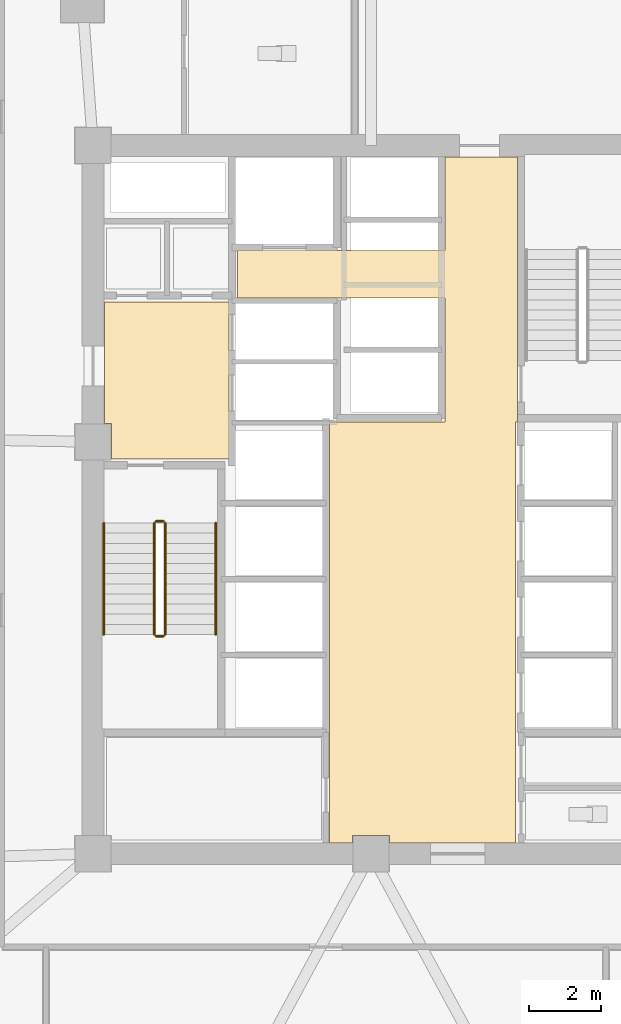
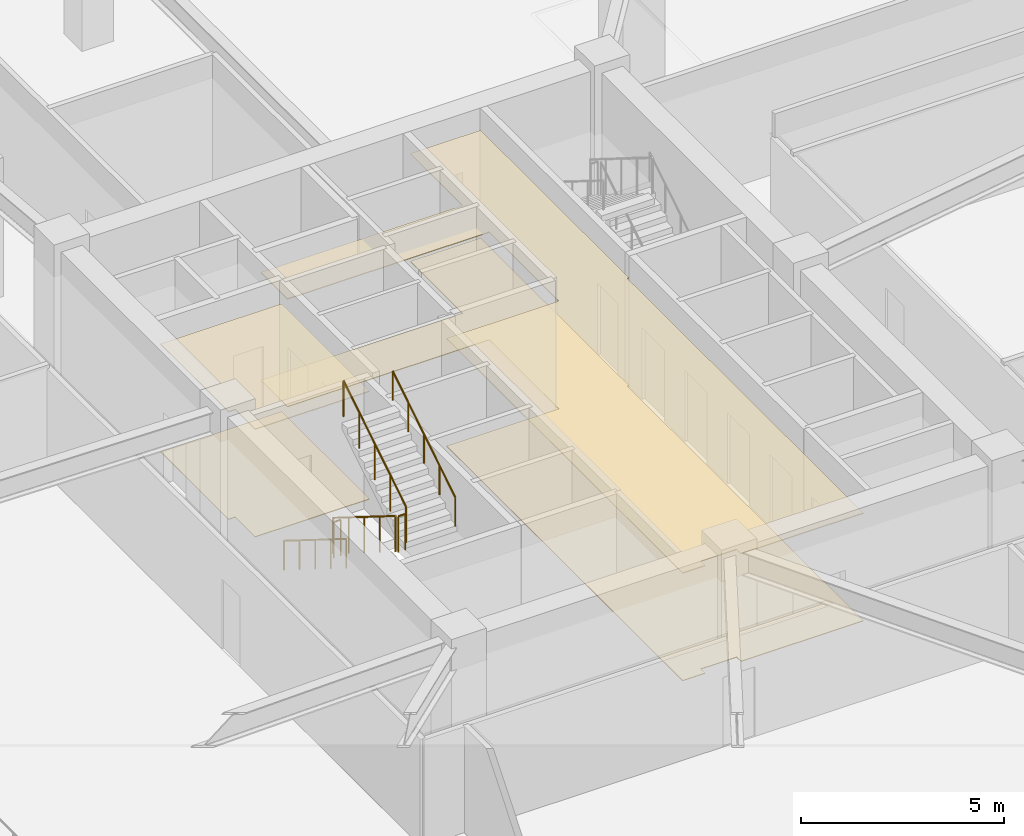
# One storey, part 16 of 22: 6 railings, 4 coverings.
"""IFC4 building model written with IfcOpenShell, lengths in metres."""

from ifc_helpers import new_model, si_unit, direction, frame, origin, origin_2d, place, context, subcontext, project, spatial, polyline, circle, outline, extrude, material, layer, layer_set, type_object, element, save


model = new_model("IFC4")

# Units and contexts
model_context = context("Model", 3, precision=1e-05, world=origin(), true_north=direction((0.0, 1.0)))
body_context = subcontext(model_context, "Body", "Model", "MODEL_VIEW")
ifc_project = project(units=[si_unit("LENGTHUNIT", "METRE"), si_unit("AREAUNIT", "SQUARE_METRE"), si_unit("VOLUMEUNIT", "CUBIC_METRE"), si_unit("PLANEANGLEUNIT", "RADIAN"), si_unit("MASSUNIT", "GRAM", prefix="KILO")], contexts=[model_context])

# Site, building, storey
site_placement = place(None, origin())
site = spatial("IfcSite", under=ifc_project, at=site_placement, CompositionType="ELEMENT")
building_placement = place(site_placement, origin())
building = spatial("IfcBuilding", under=site, at=building_placement, Name="Savorim Split Tower", CompositionType="ELEMENT")
storey_placement = place(building_placement, frame((0.0, 0.0, 13.39990234375)))
storey = spatial("IfcBuildingStorey", under=building, at=storey_placement, Name="L03", CompositionType="ELEMENT", Elevation=13.39990234375)

# Coverings
ifc_material_1 = material(Name="Mineral Fibre Acoustic Ceiling")
ifc_layer_1 = layer(ifc_material_1, 0.02490234375)
ifc_layer_set_1 = layer_set([ifc_layer_1], Name="COV-CEIL-25")
covering_type_1 = type_object("IfcCoveringType", Name="COV-CEIL-25", PredefinedType="CEILING", material=ifc_layer_set_1)
covering_1_placement = place(storey_placement, frame((0.0, 0.0, 3.239990234375)))
element("IfcCovering", 1, at=covering_1_placement, inside=storey, type_object=covering_type_1, Name="L03 Firefighting Lift Lobby Acoustic Ceiling", PredefinedType="CEILING", context=body_context, shape_type="SweptSolid", body=[
    extrude(outline(polyline([(-3.929931640625, 5.8701171875), (-7.3798828125, 5.8701171875), (-7.3798828125, 2.510009765625), (-7.18994140625, 2.510009765625), (-7.18994140625, 1.530029296875), (-3.929931640625, 1.530029296875), (-3.929931640625, 5.8701171875)])), origin(), (0.0, 0.0, 1.0), 0.025146484375),
])
covering_2_placement = place(storey_placement, frame((0.0, 0.0, 3.239990234375)))
element("IfcCovering", 2, at=covering_2_placement, inside=storey, type_object=covering_type_1, Name="L03 Lift Lobby Acoustic Ceiling", PredefinedType="CEILING", context=body_context, shape_type="SweptSolid", body=[
    extrude(outline(polyline([(2.050048828125, 2.550048828125), (-1.14990234375, 2.550048828125), (-1.14990234375, -9.10009765625), (-0.510009765625, -9.10009765625), (-0.510009765625, -8.889892578125), (0.510009765625, -8.889892578125), (0.510009765625, -9.10009765625), (4.0, -9.10009765625), (4.0, 2.550048828125), (4.050048828125, 2.550048828125), (4.050048828125, 5.97998046875), (4.050048828125, 7.300048828125), (4.050048828125, 9.8798828125), (2.050048828125, 9.8798828125), (2.050048828125, 7.300048828125), (-3.699951171875, 7.300048828125), (-3.699951171875, 5.97998046875), (2.050048828125, 5.97998046875), (2.050048828125, 2.550048828125)])), origin(), (0.0, 0.0, 1.0), 0.025146484375),
])
ifc_material_2 = material(Name="Porcelain Stoneware Flooring", Category="masonry")
ifc_layer_2 = layer(ifc_material_2, 0.02001953125)
ifc_layer_set_2 = layer_set([ifc_layer_2], Name="COV-FLOR-20")
covering_type_2 = type_object("IfcCoveringType", Name="COV-FLOR-20", PredefinedType="FLOORING", material=ifc_layer_set_2)
covering_3_placement = place(storey_placement, origin())
element("IfcCovering", 3, at=covering_3_placement, inside=storey, type_object=covering_type_2, Name="L03 Firefighting Lift Lobby Porcelain Flooring", PredefinedType="FLOORING", context=body_context, shape_type="SweptSolid", body=[
    extrude(outline(polyline([(-3.929931640625, 5.8701171875), (-7.3798828125, 5.8701171875), (-7.3798828125, 2.510009765625), (-7.18994140625, 2.510009765625), (-7.18994140625, 1.530029296875), (-3.929931640625, 1.530029296875), (-3.929931640625, 5.8701171875)])), origin(), (0.0, 0.0, 1.0), 0.02001953125),
])
covering_4_placement = place(storey_placement, origin())
element("IfcCovering", 4, at=covering_4_placement, inside=storey, type_object=covering_type_2, Name="L03 Lift Lobby Porcelain Flooring", PredefinedType="FLOORING", context=body_context, shape_type="SweptSolid", body=[
    extrude(outline(polyline([(2.050048828125, 2.550048828125), (-1.14990234375, 2.550048828125), (-1.14990234375, -9.10009765625), (-0.510009765625, -9.10009765625), (-0.510009765625, -8.889892578125), (0.510009765625, -8.889892578125), (0.510009765625, -9.10009765625), (4.0, -9.10009765625), (4.0, 2.550048828125), (4.050048828125, 2.550048828125), (4.050048828125, 5.97998046875), (4.050048828125, 7.300048828125), (4.050048828125, 9.8798828125), (2.050048828125, 9.8798828125), (2.050048828125, 7.300048828125), (-3.699951171875, 7.300048828125), (-3.699951171875, 5.97998046875), (2.050048828125, 5.97998046875), (2.050048828125, 2.550048828125)])), origin(), (0.0, 0.0, 1.0), 0.02001953125),
])

# Railings
ifc_material_3 = material(Name="Galvanised Painted Steel Balustrade", Category="steel")
railing_type_1 = type_object("IfcRailingType", Name="RLG-HR-900", PredefinedType="HANDRAIL", material=ifc_material_3)
railing_1_placement = place(storey_placement, frame((-7.39990234375, -0.25, 0.175048828125)))
element("IfcRailing", 5, at=railing_1_placement, inside=storey, type_object=railing_type_1, Name="L03 ST-1 stair handrail 1", PredefinedType="HANDRAIL", context=body_context, shape_type="SweptSolid", body=[
    extrude(circle(Radius=0.02392578125, at=origin_2d()), frame((0.0, 0.0, 0.8759765625), z_axis=(0.0, -0.847998304005, 0.529998940003), x_axis=(1.0, 0.0, 0.0)), (0.0, 0.0, 1.0), 3.632080078125),
    extrude(circle(Radius=0.02099609375, at=origin_2d()), origin(), (0.0, 0.0, 1.0), 0.851806640625),
    extrude(circle(Radius=0.02099609375, at=origin_2d()), frame((0.0, -0.77001953125, 0.481201171875)), (0.0, 0.0, 1.0), 0.851806640625),
    extrude(circle(Radius=0.02099609375, at=origin_2d()), frame((0.0, -1.5400390625, 0.96240234375)), (0.0, 0.0, 1.0), 0.851806640625),
    extrude(circle(Radius=0.02099609375, at=origin_2d()), frame((0.0, -2.31005859375, 1.44384765625)), (0.0, 0.0, 1.0), 0.851806640625),
    extrude(circle(Radius=0.02099609375, at=origin_2d()), frame((0.0, -3.080078125, 1.925048828125)), (0.0, 0.0, 1.0), 0.851806640625),
])
railing_2_placement = place(storey_placement, frame((-4.300048828125, -3.330078125, 2.275146484375)))
element("IfcRailing", 6, at=railing_2_placement, inside=storey, type_object=railing_type_1, Name="L03 ST-1 stair handrail 2", PredefinedType="HANDRAIL", context=body_context, shape_type="SweptSolid", body=[
    extrude(circle(Radius=0.02392578125, at=origin_2d()), frame((0.0, 0.0, 0.8759765625), z_axis=(0.0, 0.847998304005, 0.529998940003), x_axis=(-1.0, 0.0, 0.0)), (0.0, 0.0, 1.0), 3.632080078125),
    extrude(circle(Radius=0.02099609375, at=origin_2d()), origin(), (0.0, 0.0, 1.0), 0.851806640625),
    extrude(circle(Radius=0.02099609375, at=origin_2d()), frame((0.0, 0.77001953125, 0.481201171875)), (0.0, 0.0, 1.0), 0.851806640625),
    extrude(circle(Radius=0.02099609375, at=origin_2d()), frame((0.0, 1.5400390625, 0.96240234375)), (0.0, 0.0, 1.0), 0.851806640625),
    extrude(circle(Radius=0.02099609375, at=origin_2d()), frame((0.0, 2.31005859375, 1.44384765625)), (0.0, 0.0, 1.0), 0.851806640625),
    extrude(circle(Radius=0.02099609375, at=origin_2d()), frame((0.0, 3.080078125, 1.925048828125)), (0.0, 0.0, 1.0), 0.851806640625),
])
railing_type_2 = type_object("IfcRailingType", Name="RLG-STG-1100", PredefinedType="BALUSTRADE", material=ifc_material_3)
railing_3_placement = place(storey_placement, frame((-6.0, -0.25, 0.175048828125)))
element("IfcRailing", 7, at=railing_3_placement, inside=storey, type_object=railing_type_2, Name="L03 ST-1 stair guard 1", PredefinedType="BALUSTRADE", context=body_context, shape_type="SweptSolid", body=[
    extrude(circle(Radius=0.02392578125, at=origin_2d()), frame((0.0, 0.0, 1.076171875), z_axis=(0.0, -0.847998304005, 0.529998940003), x_axis=(1.0, 0.0, 0.0)), (0.0, 0.0, 1.0), 3.632080078125),
    extrude(circle(Radius=0.02099609375, at=origin_2d()), origin(), (0.0, 0.0, 1.0), 1.052001953125),
    extrude(circle(Radius=0.02099609375, at=origin_2d()), frame((0.0, -0.77001953125, 0.481201171875)), (0.0, 0.0, 1.0), 1.052001953125),
    extrude(circle(Radius=0.02099609375, at=origin_2d()), frame((0.0, -1.5400390625, 0.96240234375)), (0.0, 0.0, 1.0), 1.052001953125),
    extrude(circle(Radius=0.02099609375, at=origin_2d()), frame((0.0, -2.31005859375, 1.44384765625)), (0.0, 0.0, 1.0), 1.052001953125),
    extrude(circle(Radius=0.02099609375, at=origin_2d()), frame((0.0, -3.080078125, 1.925048828125)), (0.0, 0.0, 1.0), 1.052001953125),
])
railing_4_placement = place(storey_placement, frame((-5.949951171875, -3.3798828125, 2.10009765625)))
element("IfcRailing", 8, at=railing_4_placement, inside=storey, type_object=railing_type_2, Name="L03 ST-1 stair guard 2", PredefinedType="BALUSTRADE", context=body_context, shape_type="SweptSolid", body=[
    extrude(circle(Radius=0.02392578125, at=origin_2d()), frame((0.0, 0.0, 1.076171875), z_axis=(1.0, 0.0, 0.0), x_axis=(0.0, 1.0, 0.0)), (0.0, 0.0, 1.0), 0.199951171875),
    extrude(circle(Radius=0.02099609375, at=origin_2d()), origin(), (0.0, 0.0, 1.0), 1.052001953125),
    extrude(circle(Radius=0.02099609375, at=origin_2d()), frame((0.199951171875, 0.0, 0.0)), (0.0, 0.0, 1.0), 1.052001953125),
])
railing_5_placement = place(storey_placement, frame((-5.699951171875, -3.330078125, 2.275146484375)))
element("IfcRailing", 9, at=railing_5_placement, inside=storey, type_object=railing_type_2, Name="L03 ST-1 stair guard 3", PredefinedType="BALUSTRADE", context=body_context, shape_type="SweptSolid", body=[
    extrude(circle(Radius=0.02392578125, at=origin_2d()), frame((0.0, 0.0, 1.076171875), z_axis=(0.0, 0.847998304005, 0.529998940003), x_axis=(-1.0, 0.0, 0.0)), (0.0, 0.0, 1.0), 3.632080078125),
    extrude(circle(Radius=0.02099609375, at=origin_2d()), origin(), (0.0, 0.0, 1.0), 1.052001953125),
    extrude(circle(Radius=0.02099609375, at=origin_2d()), frame((0.0, 0.77001953125, 0.481201171875)), (0.0, 0.0, 1.0), 1.052001953125),
    extrude(circle(Radius=0.02099609375, at=origin_2d()), frame((0.0, 1.5400390625, 0.96240234375)), (0.0, 0.0, 1.0), 1.052001953125),
    extrude(circle(Radius=0.02099609375, at=origin_2d()), frame((0.0, 2.31005859375, 1.44384765625)), (0.0, 0.0, 1.0), 1.052001953125),
    extrude(circle(Radius=0.02099609375, at=origin_2d()), frame((0.0, 3.080078125, 1.925048828125)), (0.0, 0.0, 1.0), 1.052001953125),
])
railing_6_placement = place(storey_placement, frame((-5.949951171875, -0.199951171875, 0.0)))
element("IfcRailing", 10, at=railing_6_placement, inside=storey, type_object=railing_type_2, Name="L03 ST-1 stair guard 4", PredefinedType="BALUSTRADE", context=body_context, shape_type="SweptSolid", body=[
    extrude(circle(Radius=0.02392578125, at=origin_2d()), frame((0.0, 0.0, 1.076171875), z_axis=(1.0, 0.0, 0.0), x_axis=(0.0, 1.0, 0.0)), (0.0, 0.0, 1.0), 0.199951171875),
    extrude(circle(Radius=0.02099609375, at=origin_2d()), origin(), (0.0, 0.0, 1.0), 1.052001953125),
    extrude(circle(Radius=0.02099609375, at=origin_2d()), frame((0.199951171875, 0.0, 0.0)), (0.0, 0.0, 1.0), 1.052001953125),
])

save(model, "model.ifc")
